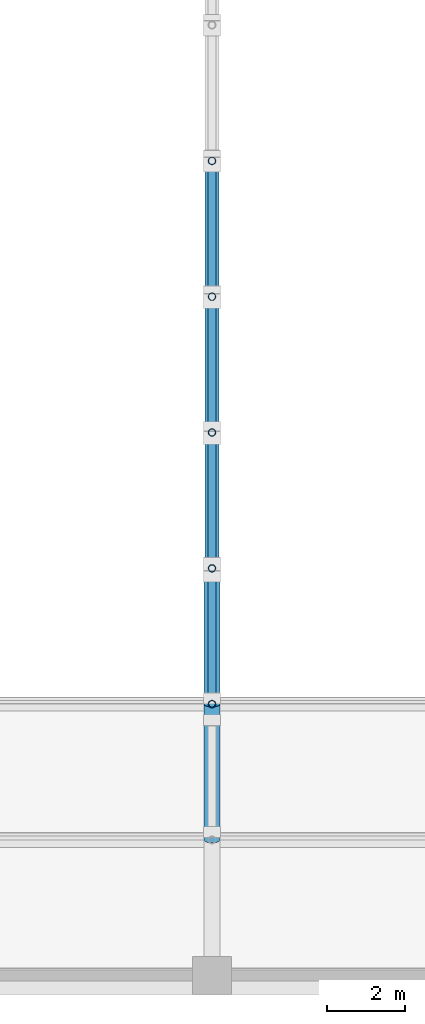
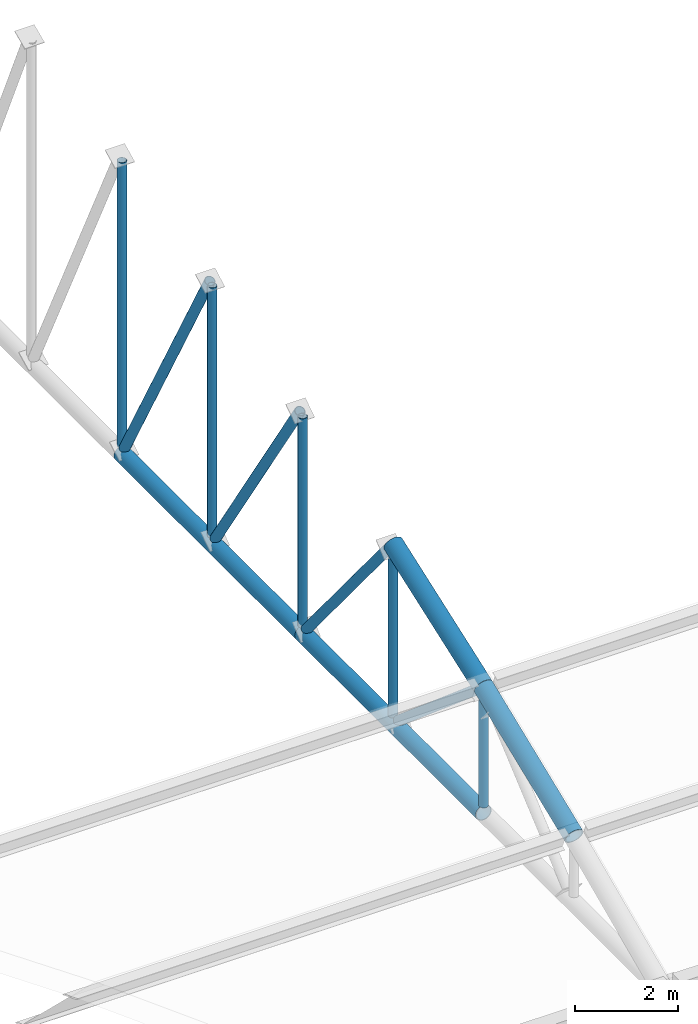
# One storey, part 32 of 196: 13 members.
"""IFC4 building model written with IfcOpenShell, lengths in metres."""

from ifc_helpers import new_model, si_unit, direction, frame, origin, origin_2d, place, context, subcontext, project, spatial, hollow_circle, extrude, material, material_profile, profile_set, type_object, element, save


model = new_model("IFC4")

# Units and contexts
model_context = context("Model", 3, precision=1e-05, world=origin(), true_north=direction((0.0, 1.0)))
body_context = subcontext(model_context, "Body", "Model", "MODEL_VIEW")
ifc_project = project(units=[si_unit("LENGTHUNIT", "METRE"), si_unit("AREAUNIT", "SQUARE_METRE"), si_unit("VOLUMEUNIT", "CUBIC_METRE"), si_unit("PLANEANGLEUNIT", "RADIAN"), si_unit("MASSUNIT", "GRAM", prefix="KILO")], contexts=[model_context])

# Site, building, storey
site_placement = place(None, origin())
site = spatial("IfcSite", under=ifc_project, at=site_placement, CompositionType="ELEMENT")
building_placement = place(site_placement, origin())
building = spatial("IfcBuilding", under=site, at=building_placement, Name="Okhra Congress Centre", CompositionType="ELEMENT")
storey_placement = place(building_placement, frame((0.0, 0.0, 12.0)))
storey = spatial("IfcBuildingStorey", under=building, at=storey_placement, Name="L02", CompositionType="ELEMENT", Elevation=12.0)

# Members
ifc_material = material(Name="Steel S355J2H", Category="steel")
ifc_material_profile_1 = material_profile(ifc_material, hollow_circle(Radius=0.096923828125, WallThickness=0.012451171875, at=origin_2d()), Name="CHS 193.7x12.5")
ifc_profile_set_1 = profile_set([ifc_material_profile_1], Name="Steel S355J2H")
member_type_1 = type_object("IfcMemberType", Name="CHS 193.7x12.5", PredefinedType="POST", material=ifc_profile_set_1)
member_1_placement = place(storey_placement, frame((64.0, 139.0, 1.577880859375), z_axis=(0.0, 0.0, 1.0), x_axis=(1.0, 0.0, 0.0)))
element("IfcMember", 1, at=member_1_placement, inside=storey, type_object=member_type_1, Name="EH.MEM.L02.T3-VER-02", PredefinedType="POST", context=body_context, shape_type="SweptSolid", body=[
    extrude(hollow_circle(Radius=0.096923828125, WallThickness=0.012451171875, at=origin_2d()), origin(), (0.0, 0.0, 1.0), 2.578857421875),
])
member_2_placement = place(storey_placement, frame((64.0, 142.5, 1.577880859375), z_axis=(0.0, 0.0, 1.0), x_axis=(1.0, 0.0, 0.0)))
element("IfcMember", 2, at=member_2_placement, inside=storey, type_object=member_type_1, Name="EH.MEM.L02.T3-VER-03", PredefinedType="POST", context=body_context, shape_type="SweptSolid", body=[
    extrude(hollow_circle(Radius=0.096923828125, WallThickness=0.012451171875, at=origin_2d()), origin(), (0.0, 0.0, 1.0), 3.836669921875),
])
member_3_placement = place(storey_placement, frame((64.0, 146.0, 1.577880859375), z_axis=(0.0, 0.0, 1.0), x_axis=(1.0, 0.0, 0.0)))
element("IfcMember", 3, at=member_3_placement, inside=storey, type_object=member_type_1, Name="EH.MEM.L02.T3-VER-04", PredefinedType="POST", context=body_context, shape_type="SweptSolid", body=[
    extrude(hollow_circle(Radius=0.096923828125, WallThickness=0.012451171875, at=origin_2d()), origin(), (0.0, 0.0, 1.0), 4.947998046875),
])
ifc_material_profile_2 = material_profile(ifc_material, hollow_circle(Radius=0.096923828125, WallThickness=0.008056640625, at=origin_2d()), Name="CHS 193.7x8.0")
ifc_profile_set_2 = profile_set([ifc_material_profile_2], Name="Steel S355J2H")
member_type_2 = type_object("IfcMemberType", Name="CHS 193.7x8.0", PredefinedType="POST", material=ifc_profile_set_2)
member_4_placement = place(storey_placement, frame((64.0, 149.5, 1.577880859375), z_axis=(0.0, 0.0, 1.0), x_axis=(1.0, 0.0, 0.0)))
element("IfcMember", 4, at=member_4_placement, inside=storey, type_object=member_type_2, Name="EH.MEM.L02.T3-VER-05", PredefinedType="POST", context=body_context, shape_type="SweptSolid", body=[
    extrude(hollow_circle(Radius=0.096923828125, WallThickness=0.008056640625, at=origin_2d()), origin(), (0.0, 0.0, 1.0), 5.917724609375),
])
member_5_placement = place(storey_placement, frame((64.0, 153.0, 1.577880859375), z_axis=(0.0, 0.0, 1.0), x_axis=(1.0, 0.0, 0.0)))
element("IfcMember", 5, at=member_5_placement, inside=storey, type_object=member_type_2, Name="EH.MEM.L02.T3-VER-06", PredefinedType="POST", context=body_context, shape_type="SweptSolid", body=[
    extrude(hollow_circle(Radius=0.096923828125, WallThickness=0.008056640625, at=origin_2d()), origin(), (0.0, 0.0, 1.0), 6.750244140625),
])
ifc_material_profile_3 = material_profile(ifc_material, hollow_circle(Radius=0.109619140625, WallThickness=0.010009765625, at=origin_2d()), Name="CHS 219.1x10.0")
ifc_profile_set_3 = profile_set([ifc_material_profile_3], Name="Steel S355J2H")
member_type_3 = type_object("IfcMemberType", Name="CHS 219.1x10.0", PredefinedType="BRACE", material=ifc_profile_set_3)
member_6_placement = place(storey_placement, frame((64.0, 149.5927734375, 7.538330078125), z_axis=(0.0, 0.485332749729, -0.874329527147), x_axis=(-1.0, 0.0, 0.0)))
element("IfcMember", 6, at=member_6_placement, inside=storey, type_object=member_type_3, Name="EH.MEM.L02.T3-DIA-05", PredefinedType="BRACE", context=body_context, shape_type="SweptSolid", body=[
    extrude(hollow_circle(Radius=0.109619140625, WallThickness=0.010009765625, at=origin_2d()), origin(), (0.0, 0.0, 1.0), 6.817138671875),
])
ifc_material_profile_4 = material_profile(ifc_material, hollow_circle(Radius=0.109619140625, WallThickness=0.012451171875, at=origin_2d()), Name="CHS 219.1x12.5")
ifc_profile_set_4 = profile_set([ifc_material_profile_4], Name="Steel S355J2H")
member_type_4 = type_object("IfcMemberType", Name="CHS 219.1x12.5", PredefinedType="BRACE", material=ifc_profile_set_4)
member_7_placement = place(storey_placement, frame((64.0, 139.1611328125, 4.237060546875), z_axis=(0.0, 0.762061047132, -0.64750518179), x_axis=(-1.0, 0.0, 0.0)))
element("IfcMember", 7, at=member_7_placement, inside=storey, type_object=member_type_4, Name="EH.MEM.L02.T3-DIA-02", PredefinedType="BRACE", context=body_context, shape_type="SweptSolid", body=[
    extrude(hollow_circle(Radius=0.109619140625, WallThickness=0.012451171875, at=origin_2d()), origin(), (0.0, 0.0, 1.0), 4.106689453125),
])
member_8_placement = place(storey_placement, frame((64.0, 142.626220703125, 5.476318359375), z_axis=(0.0, 0.637599309049, -0.770368172435), x_axis=(-1.0, 0.0, 0.0)))
element("IfcMember", 8, at=member_8_placement, inside=storey, type_object=member_type_4, Name="EH.MEM.L02.T3-DIA-03", PredefinedType="BRACE", context=body_context, shape_type="SweptSolid", body=[
    extrude(hollow_circle(Radius=0.109619140625, WallThickness=0.012451171875, at=origin_2d()), origin(), (0.0, 0.0, 1.0), 5.060546875),
])
member_9_placement = place(storey_placement, frame((64.0, 146.10595703125, 6.576416015625), z_axis=(0.0, 0.548312008951, -0.836273843211), x_axis=(-1.0, 0.0, 0.0)))
element("IfcMember", 9, at=member_9_placement, inside=storey, type_object=member_type_4, Name="EH.MEM.L02.T3-DIA-04", PredefinedType="BRACE", context=body_context, shape_type="SweptSolid", body=[
    extrude(hollow_circle(Radius=0.109619140625, WallThickness=0.012451171875, at=origin_2d()), origin(), (0.0, 0.0, 1.0), 5.97705078125),
])
ifc_material_profile_5 = material_profile(ifc_material, hollow_circle(Radius=0.177734375, WallThickness=0.01611328125, at=origin_2d()), Name="CHS 355.6x16.0")
ifc_profile_set_5 = profile_set([ifc_material_profile_5], Name="Steel S355J2H")
member_type_5 = type_object("IfcMemberType", Name="CHS 355.6x16.0", PredefinedType="CHORD", material=ifc_profile_set_5)
for number, where, z_axis, x_axis, name in (
    (10, (64.0, 139.0, 1.39990234375), (0.0, 1.0, 0.0), (-1.0, 0.0, 0.0), "EH.MEM.L02.T3-BOT-02"),
    (11, (64.0, 146.0, 1.39990234375), (0.0, 1.0, 0.0), (-1.0, 0.0, 0.0), "EH.MEM.L02.T3-BOT-03"),
):
    element("IfcMember", number, at=place(storey_placement, frame(where, z_axis=z_axis, x_axis=x_axis)), inside=storey, type_object=member_type_5, Name=name, PredefinedType="CHORD", context=body_context, shape_type="SweptSolid", body=[
        extrude(hollow_circle(Radius=0.177734375, WallThickness=0.01611328125, at=origin_2d()), origin(), (0.0, 0.0, 1.0), 7.0),
    ])
ifc_material_profile_6 = material_profile(ifc_material, hollow_circle(Radius=0.203125, WallThickness=0.02490234375, at=origin_2d()), Name="CHS 406.4x25.0")
ifc_profile_set_6 = profile_set([ifc_material_profile_6], Name="Steel S355J2H")
member_type_6 = type_object("IfcMemberType", Name="CHS 406.4x25.0", PredefinedType="CHORD", material=ifc_profile_set_6)
member_10_placement = place(storey_placement, frame((64.0, 135.5, 2.966796875), z_axis=(0.0, 0.927814639871, 0.373041544658), x_axis=(-1.0, 0.0, 0.0)))
element("IfcMember", 12, at=member_10_placement, inside=storey, type_object=member_type_6, Name="EH.MEM.L02.T3-TOP-02", PredefinedType="CHORD", context=body_context, shape_type="SweptSolid", body=[
    extrude(hollow_circle(Radius=0.203125, WallThickness=0.02490234375, at=origin_2d()), origin(), (0.0, 0.0, 1.0), 3.772216796875),
])
member_11_placement = place(storey_placement, frame((64.0, 139.0, 4.3740234375), z_axis=(0.0, 0.941304373418, 0.337558997192), x_axis=(-1.0, 0.0, 0.0)))
element("IfcMember", 13, at=member_11_placement, inside=storey, type_object=member_type_6, Name="EH.MEM.L02.T3-TOP-03", PredefinedType="CHORD", context=body_context, shape_type="SweptSolid", body=[
    extrude(hollow_circle(Radius=0.203125, WallThickness=0.02490234375, at=origin_2d()), origin(), (0.0, 0.0, 1.0), 3.71826171875),
])

save(model, "model.ifc")
